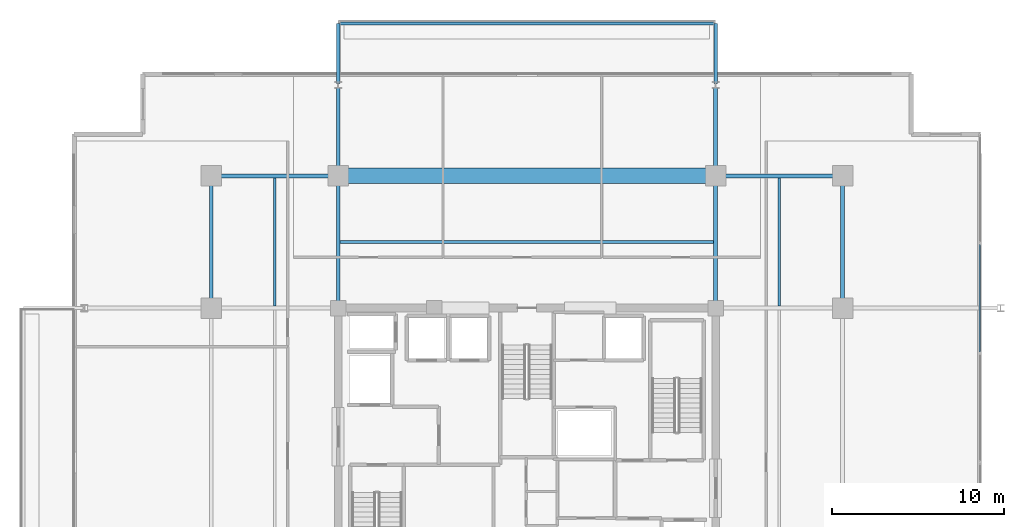
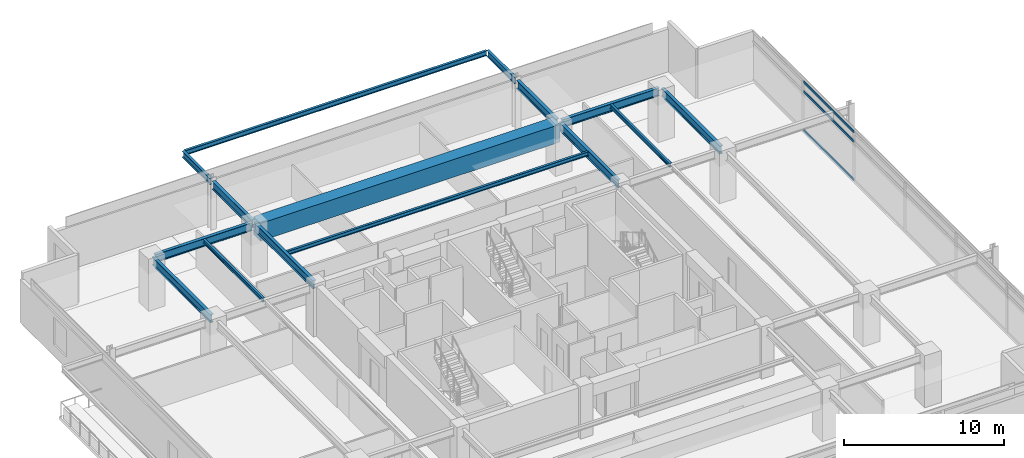
# One storey, part 10 of 18: 15 beams, 3 members, 1 element without a shape of its own.
"""IFC4 building model written with IfcOpenShell, lengths in metres."""

import ifcopenshell
import ifcopenshell.guid

model = None  # the IFC model being written
_history = None  # IfcOwnerHistory: only IFC2X3 demands one
_inside = {}  # id of a spatial element -> (the spatial element, [elements in it])
_under = {}  # id of a project, library or spatial element -> (it, [spatial elements below it])
_declared = {}  # id of a project -> (the project, [libraries it declares])
_typed = {}  # id of a type object -> (the type object, [elements of that type])
_made_of = {}  # id of a material, layer set ... -> (it, [elements and type objects made of it])


def new_model(schema):
    """Start an empty IFC model of exactly this schema.

    Asked for "IFC4X3", IfcOpenShell would pick the latest addendum, in which some entities
    have other attributes; the version numbers below select the first issue.
    IFC2X3 requires an IfcOwnerHistory on every rooted entity: one is made here for all.
    """
    global model, _history
    if schema == "IFC4X3":
        model = ifcopenshell.file(schema_version=(4, 3, 0, 0))
    else:
        model = ifcopenshell.file(schema=schema)
    _inside.clear()
    _under.clear()
    _declared.clear()
    _typed.clear()
    _made_of.clear()
    _history = None
    if model.schema == "IFC2X3":
        org = make("IfcOrganization", Name="unknown")
        user = make(
            "IfcPersonAndOrganization",
            ThePerson=make("IfcPerson", FamilyName="unknown"),
            TheOrganization=org,
        )
        app = make(
            "IfcApplication",
            ApplicationDeveloper=org,
            Version="unknown",
            ApplicationFullName="unknown",
            ApplicationIdentifier="unknown",
        )
        _history = make(
            "IfcOwnerHistory",
            OwningUser=user,
            OwningApplication=app,
            ChangeAction="ADDED",
            CreationDate=0,
        )
    return model


def make(cls, **values):
    """One entity of the class cls with the attributes given. An attribute that is None is left unset."""
    return model.create_entity(
        cls, **{name: value for name, value in values.items() if value is not None}
    )


def rooted(cls, **values):
    """An entity with a GlobalId (a new one), such as an element, a storey or a relation."""
    return make(cls, GlobalId=ifcopenshell.guid.new(), OwnerHistory=_history, **values)


def si_unit(unit_type, name, prefix=None):
    """IfcSIUnit, for example si_unit("LENGTHUNIT", "METRE", prefix="MILLI")."""
    return make("IfcSIUnit", UnitType=unit_type, Prefix=prefix, Name=name)


def assignment(units):
    """IfcUnitAssignment: the units of a project."""
    return None if units is None else make("IfcUnitAssignment", Units=units)


def point(xyz):
    """IfcCartesianPoint."""
    return None if xyz is None else make("IfcCartesianPoint", Coordinates=xyz)


def direction(xyz):
    """IfcDirection."""
    return None if xyz is None else make("IfcDirection", DirectionRatios=xyz)


def frame(location, z_axis=None, x_axis=None):
    """IfcAxis2Placement3D, a coordinate frame: its origin and axes. An axis left out is left unset."""
    return make(
        "IfcAxis2Placement3D",
        Location=point(location),
        Axis=direction(z_axis),
        RefDirection=direction(x_axis),
    )


def frame_2d(location, x_axis=None):
    """IfcAxis2Placement2D, a coordinate frame in the plane: its origin and x axis."""
    return make(
        "IfcAxis2Placement2D", Location=point(location), RefDirection=direction(x_axis)
    )


def origin():
    """The frame at (0, 0, 0) with its axes left unset."""
    return frame((0.0, 0.0, 0.0))


def origin_2d():
    """The frame at (0, 0) in the plane with its x axis left unset."""
    return frame_2d((0.0, 0.0))


def place(relative_to, where):
    """IfcLocalPlacement: puts the frame where relative to a parent placement (None: the world)."""
    return make(
        "IfcLocalPlacement", PlacementRelTo=relative_to, RelativePlacement=where
    )


def context(
    kind, dimensions, precision=None, world=None, true_north=None, identifier=None
):
    """IfcGeometricRepresentationContext, for example the 3D "Model" context."""
    return make(
        "IfcGeometricRepresentationContext",
        ContextIdentifier=identifier,
        ContextType=kind,
        CoordinateSpaceDimension=dimensions,
        Precision=precision,
        WorldCoordinateSystem=world,
        TrueNorth=true_north,
    )


def subcontext(parent, identifier, kind, view, scale=None):
    """IfcGeometricRepresentationSubContext, for example "Body" below "Model"."""
    return make(
        "IfcGeometricRepresentationSubContext",
        ContextIdentifier=identifier,
        ContextType=kind,
        ParentContext=parent,
        TargetScale=scale,
        TargetView=view,
    )


def project(units=None, contexts=None):
    """IfcProject with its units and contexts."""
    return rooted(
        "IfcProject",
        Name="project",
        RepresentationContexts=contexts,
        UnitsInContext=assignment(units),
    )


def spatial(cls, under=None, at=None, **own):
    """A site, building, storey or space (cls), placed at a placement, below another one or the project."""
    s = rooted(cls, ObjectPlacement=at, **own)
    if under is not None:
        _under.setdefault(under.id(), (under, []))[1].append(s)
    return s


def profile(cls, at=None, kind="AREA", **sizes):
    """A parametric profile (cls). Its sizes go by their IFC names, for example OverallWidth=200.0."""
    return make(cls, ProfileType=kind, Position=at, **sizes)


def rectangle(**sizes):
    """IfcRectangleProfileDef."""
    return profile("IfcRectangleProfileDef", **sizes)


def hollow_rectangle(**sizes):
    """IfcRectangleHollowProfileDef."""
    return profile("IfcRectangleHollowProfileDef", **sizes)


def i_section(**sizes):
    """IfcIShapeProfileDef."""
    return profile("IfcIShapeProfileDef", **sizes)


def extrude(swept, where, along, depth):
    """IfcExtrudedAreaSolid: the profile swept, set in the frame where, extruded along a direction by depth."""
    return make(
        "IfcExtrudedAreaSolid",
        SweptArea=swept,
        Position=where,
        ExtrudedDirection=direction(along),
        Depth=depth,
    )


def shape(context_of_items, identifier, shape_type, items):
    """IfcShapeRepresentation: the items that make up one representation, for example the "Body"."""
    return make(
        "IfcShapeRepresentation",
        ContextOfItems=context_of_items,
        RepresentationIdentifier=identifier,
        RepresentationType=shape_type,
        Items=items,
    )


def material(Name=None, Category=None):
    """IfcMaterial."""
    return make("IfcMaterial", Name=Name, Category=Category)


def material_profile(
    of_material, cross_section, Name=None, Category=None, Priority=None
):
    """IfcMaterialProfile: a cross section and its material."""
    return make(
        "IfcMaterialProfile",
        Name=Name,
        Material=of_material,
        Profile=cross_section,
        Priority=Priority,
        Category=Category,
    )


def profile_set(profiles, Name=None, composite=None):
    """IfcMaterialProfileSet."""
    return make(
        "IfcMaterialProfileSet",
        Name=Name,
        MaterialProfiles=profiles,
        CompositeProfile=composite,
    )


def made_of(thing, what):
    """Note that an element or type object is made of a material, layer set ...; save() writes the relation."""
    if what is not None:
        _made_of.setdefault(what.id(), (what, []))[1].append(thing)
    return thing


def type_object(cls, material=None, **own):
    """A type object (cls), such as IfcWallType, which elements share."""
    return made_of(rooted(cls, **own), material)


def element(
    cls,
    number,
    at=None,
    inside=None,
    cuts=None,
    type_object=None,
    material=None,
    context=None,
    identifier="Body",
    shape_type=None,
    held_by="IfcProductDefinitionShape",
    body=None,
    shapes=None,
    **own,
):
    """One element of the class cls, such as IfcWall. Its Tag is "e" and its number.

    at: its placement. inside: the storey or other place that contains it. cuts: it is an
    opening in that element (IfcRelVoidsElement). A single representation is given by context,
    identifier, shape_type and body (its items); several are given by shapes. held_by: the class
    of the entity that holds the representations. save() writes the other relations.
    """
    e = rooted(cls, Tag="e%d" % number, ObjectPlacement=at, **own)
    if body is not None:
        shapes = [shape(context, identifier, shape_type, body)]
    if shapes is not None:
        e.Representation = make(held_by, Representations=shapes)
    if inside is not None:
        _inside.setdefault(inside.id(), (inside, []))[1].append(e)
    if cuts is not None:
        rooted(
            "IfcRelVoidsElement", RelatingBuildingElement=cuts, RelatedOpeningElement=e
        )
    if type_object is not None:
        _typed.setdefault(type_object.id(), (type_object, []))[1].append(e)
    return made_of(e, material)


def aggregate(whole, parts):
    """IfcRelAggregates: a whole, such as a stair, and the parts it consists of."""
    return rooted("IfcRelAggregates", RelatingObject=whole, RelatedObjects=parts)


def save(model, path):
    """Write the relations noted so far, then the file.

    IfcRelAggregates (storeys below a building ...), IfcRelContainedInSpatialStructure (elements
    in a storey), IfcRelDefinesByType, IfcRelAssociatesMaterial and IfcRelDeclares: one each for
    every whole, place, type object, material and project.
    """
    for whole, parts in _under.values():
        aggregate(whole, parts)
    for where, things in _inside.values():
        rooted(
            "IfcRelContainedInSpatialStructure",
            RelatedElements=things,
            RelatingStructure=where,
        )
    for kind, things in _typed.values():
        rooted("IfcRelDefinesByType", RelatedObjects=things, RelatingType=kind)
    for what, things in _made_of.values():
        rooted("IfcRelAssociatesMaterial", RelatedObjects=things, RelatingMaterial=what)
    for by, libraries in _declared.values():
        rooted("IfcRelDeclares", RelatingContext=by, RelatedDefinitions=libraries)
    model.write(path)


model = new_model("IFC4")

# Units and contexts
model_context = context("Model", 3, precision=1e-05, world=origin(), true_north=direction((0.0, 1.0)))
body_context = subcontext(model_context, "Body", "Model", "MODEL_VIEW")
ifc_project = project(units=[si_unit("LENGTHUNIT", "METRE"), si_unit("AREAUNIT", "SQUARE_METRE"), si_unit("VOLUMEUNIT", "CUBIC_METRE"), si_unit("PLANEANGLEUNIT", "RADIAN"), si_unit("MASSUNIT", "GRAM", prefix="KILO")], contexts=[model_context])

# Site, building, storey
site_placement = place(None, origin())
site = spatial("IfcSite", under=ifc_project, at=site_placement, CompositionType="ELEMENT")
building_placement = place(site_placement, origin())
building = spatial("IfcBuilding", under=site, at=building_placement, Name="Kovane Verandah Tower", CompositionType="ELEMENT")
storey_placement = place(building_placement, frame((0.0, 0.0, 251.199951171875)))
storey = spatial("IfcBuildingStorey", under=building, at=storey_placement, Name="L58", CompositionType="ELEMENT", Elevation=251.199951171875)

# Beams
ifc_material_1 = material(Name="Concrete C80/95", Category="concrete")
ifc_material_profile_1 = material_profile(ifc_material_1, rectangle(XDim=0.89990234375, YDim=1.35009765625, at=origin_2d()), Name="RCB900x1350")
ifc_profile_set_1 = profile_set([ifc_material_profile_1], Name="Concrete C80/95")
beam_type_1 = type_object("IfcBeamType", Name="BM-TR-900x1350", PredefinedType="BEAM", material=ifc_profile_set_1)
beam_1_placement = place(storey_placement, frame((29.179931640625, 44.199951171875, 3.110107421875), z_axis=(1.0, 0.0, 0.0), x_axis=(0.0, 1.0, 0.0)))
element("IfcBeam", 1, at=beam_1_placement, inside=storey, type_object=beam_type_1, Name="L58 Primary Tower Girder G-RN2", PredefinedType="BEAM", context=body_context, shape_type="SweptSolid", body=[
    extrude(rectangle(XDim=0.89990234375, YDim=1.35009765625, at=origin_2d()), origin(), (0.0, 0.0, 1.0), 21.64013671875),
])
ifc_material_2 = material(Name="Steel S355", Category="steel")
ifc_material_profile_2 = material_profile(ifc_material_2, i_section(OverallWidth=0.230224609375, OverallDepth=0.6171875, WebThickness=0.01318359375, FlangeThickness=0.022216796875, FilletRadius=0.0126953125, at=origin_2d()), Name="UB610x229x140")
ifc_profile_set_2 = profile_set([ifc_material_profile_2], Name="Steel S355")
beam_type_2 = type_object("IfcBeamType", Name="BM-UB610x140", PredefinedType="BEAM", material=ifc_profile_set_2)
for number, where, z_axis, x_axis, name in (
    (2, (21.780029296875, 44.199951171875, 3.4765625), (1.0, 0.0, 0.0), (0.0, 1.0, 0.0), "L58 Primary Tower Girder G-RN1"),
    (3, (51.179931640625, 44.199951171875, 3.4765625), (1.0, 0.0, 0.0), (0.0, 1.0, 0.0), "L58 Primary Tower Girder G-RN3"),
):
    element("IfcBeam", number, at=place(storey_placement, frame(where, z_axis=z_axis, x_axis=x_axis)), inside=storey, type_object=beam_type_2, Name=name, PredefinedType="BEAM", context=body_context, shape_type="SweptSolid", body=[
        extrude(i_section(OverallWidth=0.230224609375, OverallDepth=0.6171875, WebThickness=0.01318359375, FlangeThickness=0.022216796875, FilletRadius=0.0126953125, at=origin_2d()), origin(), (0.0, 0.0, 1.0), 7.0400390625),
    ])
for number, where, z_axis, x_axis, name in (
    (4, (21.60009765625, 36.679931640625, 3.4765625), (0.0, 1.0, 0.0), (-1.0, 0.0, 0.0), "L58 Primary Tower Girder G-RW3"),
    (5, (58.39990234375, 36.679931640625, 3.4765625), (0.0, 1.0, 0.0), (-1.0, 0.0, 0.0), "L58 Primary Tower Girder G-RE3"),
    (6, (29.0, 36.679931640625, 3.4765625), (0.0, 1.0, 0.0), (-1.0, 0.0, 0.0), "L58 Primary Tower Girder G-N1"),
    (7, (51.0, 36.679931640625, 3.4765625), (0.0, 1.0, 0.0), (-1.0, 0.0, 0.0), "L58 Primary Tower Girder G-N2"),
):
    element("IfcBeam", number, at=place(storey_placement, frame(where, z_axis=z_axis, x_axis=x_axis)), inside=storey, type_object=beam_type_2, Name=name, PredefinedType="BEAM", context=body_context, shape_type="SweptSolid", body=[
        extrude(i_section(OverallWidth=0.230224609375, OverallDepth=0.6171875, WebThickness=0.01318359375, FlangeThickness=0.022216796875, FilletRadius=0.0126953125, at=origin_2d()), origin(), (0.0, 0.0, 1.0), 7.340087890625),
    ])
for number, where, z_axis, x_axis, name in (
    (8, (29.0, 44.3798828125, 3.451416015625), (0.0, 1.0, 0.0), (-1.0, 0.0, 0.0), "L58 Primary Tower Girder G-VN1"),
    (9, (51.0, 44.3798828125, 3.451416015625), (0.0, 1.0, 0.0), (-1.0, 0.0, 0.0), "L58 Primary Tower Girder G-VN2"),
):
    element("IfcBeam", number, at=place(storey_placement, frame(where, z_axis=z_axis, x_axis=x_axis)), inside=storey, type_object=beam_type_2, Name=name, PredefinedType="BEAM", context=body_context, shape_type="SweptSolid", body=[
        extrude(i_section(OverallWidth=0.230224609375, OverallDepth=0.6171875, WebThickness=0.01318359375, FlangeThickness=0.022216796875, FilletRadius=0.0126953125, at=origin_2d()), origin(), (0.0, 0.0, 1.0), 4.940185546875),
    ])

# Curtain wall, members
ifc_material_3 = material(Name="Champagne Anodised Aluminium Frame with Low-E Clear Laminated Glass", Category="aluminium")
curtain_wall_type = type_object("IfcCurtainWallType", Name="CW-SYS-05-HIGH", PredefinedType="NOTDEFINED", material=ifc_material_3)
curtain_wall_placement = place(storey_placement, origin())
curtain_wall = element("IfcCurtainWall", 10, at=curtain_wall_placement, inside=storey, type_object=curtain_wall_type, Name="L58 E Unitised Curtain Wall", PredefinedType="NOTDEFINED")
ifc_material_4 = material(Name="Champagne Anodised Aluminium 6063-T6", Category="aluminium")
ifc_material_profile_3 = material_profile(ifc_material_4, hollow_rectangle(XDim=0.0849609375, YDim=0.18994140625, WallThickness=0.00390625, at=origin_2d()), Name="AL85x190x4")
ifc_profile_set_3 = profile_set([ifc_material_profile_3], Name="Champagne Anodised Aluminium 6063-T6")
member_type = type_object("IfcMemberType", Name="CW-TRN-85x190", PredefinedType="USERDEFINED", material=ifc_profile_set_3)
member_1_placement = place(storey_placement, frame((66.396240234375, 33.92919921875, 0.050048828125), z_axis=(0.0, 1.0, 0.0), x_axis=(-1.0, 0.0, 0.0)))
member_1 = element("IfcMember", 11, at=member_1_placement, type_object=member_type, Name="L58 E Unitised Curtain Wall Transom TB Bay 5", ObjectType="TRANSOM", PredefinedType="USERDEFINED", context=body_context, shape_type="SweptSolid", body=[
    extrude(hollow_rectangle(XDim=0.0849609375, YDim=0.18994140625, WallThickness=0.00390625, at=origin_2d()), origin(), (0.0, 0.0, 1.0), 6.279296875),
])
member_2_placement = place(storey_placement, frame((66.396240234375, 33.92919921875, 3.005126953125), z_axis=(0.0, 1.0, 0.0), x_axis=(-1.0, 0.0, 0.0)))
member_2 = element("IfcMember", 12, at=member_2_placement, type_object=member_type, Name="L58 E Unitised Curtain Wall Transom TM Bay 5", ObjectType="TRANSOM", PredefinedType="USERDEFINED", context=body_context, shape_type="SweptSolid", body=[
    extrude(hollow_rectangle(XDim=0.0849609375, YDim=0.18994140625, WallThickness=0.00390625, at=origin_2d()), origin(), (0.0, 0.0, 1.0), 6.279296875),
])
member_3_placement = place(storey_placement, frame((66.396240234375, 33.92919921875, 3.735107421875), z_axis=(0.0, 1.0, 0.0), x_axis=(-1.0, 0.0, 0.0)))
member_3 = element("IfcMember", 13, at=member_3_placement, type_object=member_type, Name="L58 E Unitised Curtain Wall Transom TT Bay 5", ObjectType="TRANSOM", PredefinedType="USERDEFINED", context=body_context, shape_type="SweptSolid", body=[
    extrude(hollow_rectangle(XDim=0.0849609375, YDim=0.18994140625, WallThickness=0.00390625, at=origin_2d()), origin(), (0.0, 0.0, 1.0), 6.279296875),
])
aggregate(curtain_wall, [member_1, member_2, member_3])

# Beams
ifc_material_profile_4 = material_profile(ifc_material_2, i_section(OverallWidth=0.1669921875, OverallDepth=0.310302734375, WebThickness=0.0078125, FlangeThickness=0.013671875, FilletRadius=0.0087890625, at=origin_2d()), Name="UB305x165x54")
ifc_profile_set_4 = profile_set([ifc_material_profile_4], Name="Steel S355")
beam_type_3 = type_object("IfcBeamType", Name="JST-UB305x54", PredefinedType="JOIST", material=ifc_profile_set_4)
beam_2_placement = place(storey_placement, frame((29.113037109375, 40.35009765625, 3.6298828125), z_axis=(1.0, 0.0, 0.0), x_axis=(0.0, 1.0, 0.0)))
element("IfcBeam", 14, at=beam_2_placement, inside=storey, type_object=beam_type_3, Name="L58 Secondary Composite Joist J-N1", PredefinedType="JOIST", context=body_context, shape_type="SweptSolid", body=[
    extrude(i_section(OverallWidth=0.1669921875, OverallDepth=0.310302734375, WebThickness=0.0078125, FlangeThickness=0.013671875, FilletRadius=0.0087890625, at=origin_2d()), origin(), (0.0, 0.0, 1.0), 21.77392578125),
])
for number, where, z_axis, x_axis, name in (
    (15, (25.300048828125, 36.613037109375, 3.6298828125), (0.0, 1.0, 0.0), (-1.0, 0.0, 0.0), "L58 Secondary Composite Joist J-NW1"),
    (16, (54.699951171875, 36.613037109375, 3.6298828125), (0.0, 1.0, 0.0), (-1.0, 0.0, 0.0), "L58 Secondary Composite Joist J-NE1"),
):
    element("IfcBeam", number, at=place(storey_placement, frame(where, z_axis=z_axis, x_axis=x_axis)), inside=storey, type_object=beam_type_3, Name=name, PredefinedType="JOIST", context=body_context, shape_type="SweptSolid", body=[
        extrude(i_section(OverallWidth=0.1669921875, OverallDepth=0.310302734375, WebThickness=0.0078125, FlangeThickness=0.013671875, FilletRadius=0.0087890625, at=origin_2d()), origin(), (0.0, 0.0, 1.0), 7.473876953125),
    ])
ifc_material_profile_5 = material_profile(ifc_material_2, i_section(OverallWidth=0.19287109375, OverallDepth=0.46728515625, WebThickness=0.011474609375, FlangeThickness=0.01953125, FilletRadius=0.01025390625, at=origin_2d()), Name="UB457x191x98")
ifc_profile_set_5 = profile_set([ifc_material_profile_5], Name="Steel S355")
beam_type_4 = type_object("IfcBeamType", Name="JST-UB457x98", PredefinedType="JOIST", material=ifc_profile_set_5)
for number, where, z_axis, x_axis, name in (
    (17, (29.0, 49.580078125, 3.5263671875), (0.0, 1.0, 0.0), (-1.0, 0.0, 0.0), "L58 North Planter Girder 1"),
    (18, (51.0, 49.580078125, 3.5263671875), (0.0, 1.0, 0.0), (-1.0, 0.0, 0.0), "L58 North Planter Girder 2"),
):
    element("IfcBeam", number, at=place(storey_placement, frame(where, z_axis=z_axis, x_axis=x_axis)), inside=storey, type_object=beam_type_4, Name=name, PredefinedType="JOIST", context=body_context, shape_type="SweptSolid", body=[
        extrude(i_section(OverallWidth=0.19287109375, OverallDepth=0.46728515625, WebThickness=0.011474609375, FlangeThickness=0.01953125, FilletRadius=0.01025390625, at=origin_2d()), origin(), (0.0, 0.0, 1.0), 3.507568359375),
    ])
ifc_material_profile_6 = material_profile(ifc_material_2, i_section(OverallWidth=0.173095703125, OverallDepth=0.36328125, WebThickness=0.009033203125, FlangeThickness=0.015625, FilletRadius=0.01025390625, at=origin_2d()), Name="UB356x171x67")
ifc_profile_set_6 = profile_set([ifc_material_profile_6], Name="Steel S355")
beam_type_5 = type_object("IfcBeamType", Name="SPD-UB356x67", PredefinedType="USERDEFINED", material=ifc_profile_set_6)
beam_3_placement = place(storey_placement, frame((29.094482421875, 53.087646484375, 3.578369140625), z_axis=(1.0, 0.0, 0.0), x_axis=(0.0, 1.0, 0.0)))
element("IfcBeam", 19, at=beam_3_placement, inside=storey, type_object=beam_type_5, Name="L58 North Planter Edge Spandrel", ObjectType="SPANDREL", PredefinedType="USERDEFINED", context=body_context, shape_type="SweptSolid", body=[
    extrude(i_section(OverallWidth=0.173095703125, OverallDepth=0.36328125, WebThickness=0.009033203125, FlangeThickness=0.015625, FilletRadius=0.01025390625, at=origin_2d()), origin(), (0.0, 0.0, 1.0), 21.81103515625),
])

save(model, "model.ifc")
